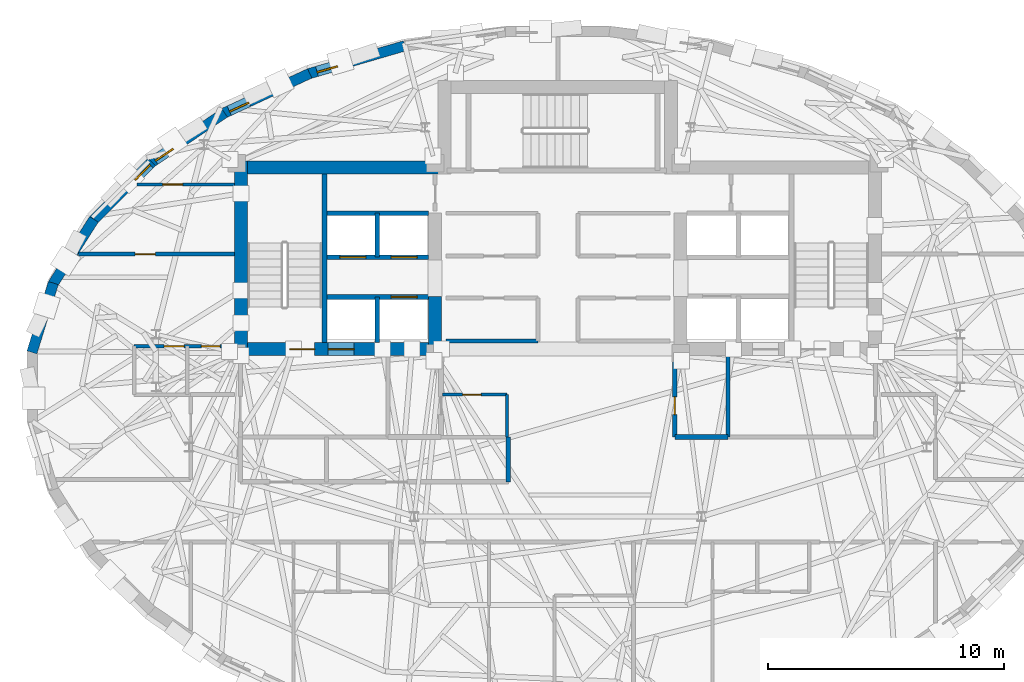
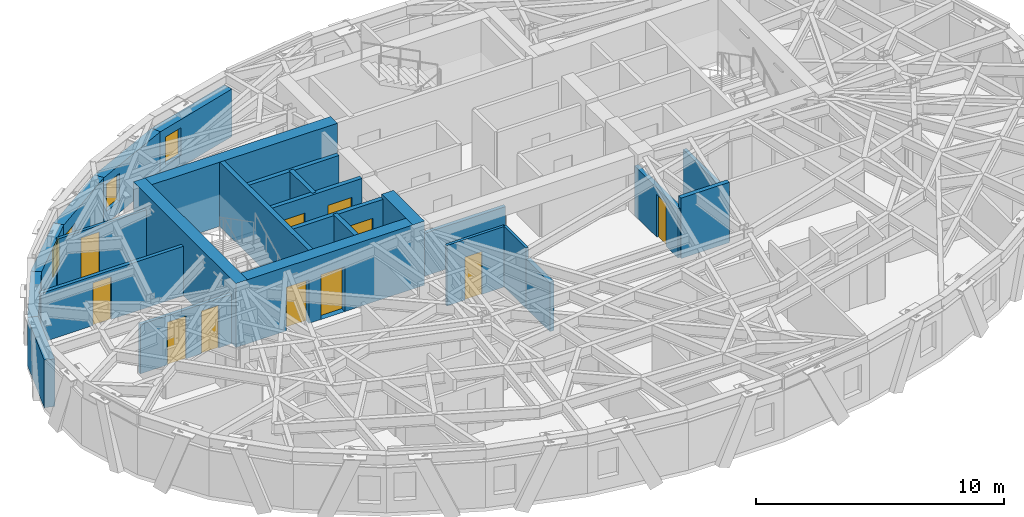
# One storey, part 7 of 12: 26 walls, 11 doors, 4 windows, 15 openings.
"""IFC4 building model written with IfcOpenShell, lengths in metres."""

from ifc_helpers import new_model, si_unit, direction, frame, frame_2d, origin, place, context, subcontext, project, spatial, rectangle, extrude, material, layer, layer_set, type_object, element, fill, save


model = new_model("IFC4")

# Units and contexts
model_context = context("Model", 3, precision=1e-05, world=origin(), true_north=direction((0.0, 1.0)))
body_context = subcontext(model_context, "Body", "Model", "MODEL_VIEW")
ifc_project = project(units=[si_unit("LENGTHUNIT", "METRE"), si_unit("AREAUNIT", "SQUARE_METRE"), si_unit("VOLUMEUNIT", "CUBIC_METRE"), si_unit("PLANEANGLEUNIT", "RADIAN"), si_unit("MASSUNIT", "GRAM", prefix="KILO")], contexts=[model_context])

# Site, building, storey
site_placement = place(None, origin())
site = spatial("IfcSite", under=ifc_project, at=site_placement, CompositionType="ELEMENT")
building_placement = place(site_placement, origin())
building = spatial("IfcBuilding", under=site, at=building_placement, Name="Keldmark Tower", CompositionType="ELEMENT")
storey_placement = place(building_placement, frame((0.0, 0.0, 228.89990234375)))
storey = spatial("IfcBuildingStorey", under=building, at=storey_placement, Name="L64", CompositionType="ELEMENT", Elevation=228.89990234375)

# Walls
ifc_material_1 = material(Name="Heavy Acoustic Plumbing Chase Gypsum Assembly", Category="gypsum")
ifc_layer_1 = layer(ifc_material_1, 0.18994140625)
ifc_layer_set_1 = layer_set([ifc_layer_1], Name="Heavy Acoustic Plumbing Chase Gypsum Assembly")
wall_type_1 = type_object("IfcWallType", Name="Heavy Wet Wall 190 mm", PredefinedType="PLUMBINGWALL", material=ifc_layer_set_1)
wall_1_placement = place(storey_placement, frame((-2.10009765625, -4.050048828125, 0.0), z_axis=(0.0, 0.0, 1.0), x_axis=(0.0, 1.0, 0.0)))
element("IfcWall", 1, at=wall_1_placement, inside=storey, type_object=wall_type_1, Name="L64 Heavy Wet Wall 190 mm SPK-W-E", PredefinedType="PLUMBINGWALL", context=body_context, shape_type="SweptSolid", body=[
    extrude(rectangle(XDim=1.900146484375, YDim=0.18994140625, at=frame_2d((0.9501953125, 0.0))), origin(), (0.0, 0.0, 1.0), 2.423095703125),
])
ifc_material_2 = material(Name="Concrete C50/60", Category="concrete")
ifc_layer_2 = layer(ifc_material_2, 0.550048828125)
ifc_layer_set_2 = layer_set([ifc_layer_2], Name="Concrete C50/60")
wall_type_2 = type_object("IfcWallType", Name="High-Rise Core Shear Wall 550 mm", PredefinedType="SHEAR", material=ifc_layer_set_2)
wall_2_placement = place(storey_placement, frame((-13.425048828125, 1.300048828125, 0.0), z_axis=(0.0, 0.0, 1.0), x_axis=(0.0, 1.0, 0.0)))
element("IfcWall", 2, at=wall_2_placement, inside=storey, type_object=wall_type_2, Name="L64 West Core Outer Shear Wall", PredefinedType="SHEAR", context=body_context, shape_type="SweptSolid", body=[
    extrude(rectangle(XDim=8.25, YDim=0.550048828125, at=frame_2d((4.125, 0.0))), origin(), (0.0, 0.0, 1.0), 3.150146484375),
])
wall_3_placement = place(storey_placement, frame((-13.699951171875, 9.27490234375, 0.0), z_axis=(0.0, 0.0, 1.0), x_axis=(1.0, 0.0, 0.0)))
element("IfcWall", 3, at=wall_3_placement, inside=storey, type_object=wall_type_2, Name="L64 West Core North Shear Wall", PredefinedType="SHEAR", context=body_context, shape_type="SweptSolid", body=[
    extrude(rectangle(XDim=9.175048828125, YDim=0.550048828125, at=frame_2d((4.58740234375, 0.0))), origin(), (0.0, 0.0, 1.0), 3.150146484375),
])

# Wall, openings, doors
wall_4_placement = place(storey_placement, frame((-4.925048828125, 1.574951171875, 0.0), z_axis=(0.0, 0.0, 1.0), x_axis=(-1.0, 0.0, 0.0)))
wall_4 = element("IfcWall", 4, at=wall_4_placement, inside=storey, type_object=wall_type_2, Name="L64 West Core South Shear Wall", PredefinedType="SHEAR", context=body_context, shape_type="SweptSolid", body=[
    extrude(rectangle(XDim=8.77490234375, YDim=0.550048828125, at=frame_2d((4.387451171875, 0.0))), origin(), (0.0, 0.0, 1.0), 3.150146484375),
])
opening_1_placement = place(wall_4_placement, frame((5.375, 0.0, 0.0)))
opening_1 = element("IfcOpeningElement", 5, at=opening_1_placement, cuts=wall_4, Name="Opening D-ST105", PredefinedType="OPENING", context=body_context, shape_type="SweptSolid", body=[
    extrude(rectangle(XDim=1.050048828125, YDim=2.14990234375, at=frame_2d((0.52490234375, 1.074951171875))), frame((0.0, 0.284912109375, 0.0), z_axis=(0.0, -1.0, 0.0), x_axis=(1.0, 0.0, 0.0)), (0.0, 0.0, 1.0), 0.570068359375),
])
opening_2_placement = place(wall_4_placement, frame((3.705078125, 0.0, 0.0)))
opening_2 = element("IfcOpeningElement", 6, at=opening_2_placement, cuts=wall_4, Name="Opening LD-110", PredefinedType="OPENING", context=body_context, shape_type="SweptSolid", body=[
    extrude(rectangle(XDim=1.10009765625, YDim=2.199951171875, at=frame_2d((0.550048828125, 1.10009765625))), frame((0.0, 0.284912109375, 0.0), z_axis=(0.0, -1.0, 0.0), x_axis=(1.0, 0.0, 0.0)), (0.0, 0.0, 1.0), 0.570068359375),
])
ifc_material_3 = material(Name="Brushed Bronze Hoistway Sliding Leaf", Category="metal")
door_type_1 = type_object("IfcDoorType", Name="Lift Landing Sliding Door 1100x2200", OperationType="SLIDING_TO_LEFT", PredefinedType="DOOR", material=ifc_material_3)
door_1_placement = place(opening_2_placement, origin())
door_1 = element("IfcDoor", 7, at=door_1_placement, inside=storey, type_object=door_type_1, Name="L64 Lift Landing Sliding Door 1100x2200 LD-EL-FS1-L64", OperationType="SLIDING_TO_LEFT", OverallHeight=2.199951171875, OverallWidth=1.10009765625, PredefinedType="DOOR", context=body_context, shape_type="SweptSolid", body=[
    extrude(rectangle(XDim=1.10009765625, YDim=2.199951171875, at=frame_2d((0.550048828125, 1.10009765625))), frame((0.0, 0.02490234375, 0.0), z_axis=(0.0, -1.0, 0.0), x_axis=(1.0, 0.0, 0.0)), (0.0, 0.0, 1.0), 0.050048828125),
])
fill(opening_2, door_1)
ifc_material_4 = material(Name="Hollow Metal Fire-Rated Door Assembly", Category="metal")
door_type_2 = type_object("IfcDoorType", Name="Stair Fire Door 1050x2150", OperationType="NOTDEFINED", PredefinedType="DOOR", material=ifc_material_4)
door_2_placement = place(opening_1_placement, origin())
door_2 = element("IfcDoor", 8, at=door_2_placement, inside=storey, type_object=door_type_2, Name="L64 Stair Fire Door 1050x2150 D-ST1-L64", OperationType="SINGLE_SWING_RIGHT", OverallHeight=2.14990234375, OverallWidth=1.050048828125, PredefinedType="DOOR", context=body_context, shape_type="SweptSolid", body=[
    extrude(rectangle(XDim=1.050048828125, YDim=2.14990234375, at=frame_2d((0.52490234375, 1.074951171875))), frame((0.0, 0.02490234375, 0.0), z_axis=(0.0, -1.0, 0.0), x_axis=(1.0, 0.0, 0.0)), (0.0, 0.0, 1.0), 0.050048828125),
])
fill(opening_1, door_2)

# Wall
wall_5_placement = place(storey_placement, frame((-5.199951171875, 1.300048828125, 0.0), z_axis=(0.0, 0.0, 1.0), x_axis=(0.0, 1.0, 0.0)))
element("IfcWall", 9, at=wall_5_placement, inside=storey, type_object=wall_type_2, Name="L64 West Core Inner Shear Pier South", PredefinedType="SHEAR", context=body_context, shape_type="SweptSolid", body=[
    extrude(rectangle(XDim=2.5, YDim=0.550048828125, at=frame_2d((1.25, 0.0))), origin(), (0.0, 0.0, 1.0), 3.150146484375),
])

# Wall, opening, door
ifc_material_5 = material(Name="Acoustic Gypsum Board Interior Partition", Category="gypsum")
ifc_layer_3 = layer(ifc_material_5, 0.1298828125)
ifc_layer_set_3 = layer_set([ifc_layer_3], Name="Acoustic Gypsum Board Interior Partition")
wall_type_3 = type_object("IfcWallType", Name="Interior Partition 130 mm", PredefinedType="PARTITIONING", material=ifc_layer_set_3)
wall_6_placement = place(storey_placement, frame((-4.8798828125, -0.35009765625, 0.0), z_axis=(0.0, 0.0, 1.0), x_axis=(1.0, 0.0, 0.0)))
wall_6 = element("IfcWall", 10, at=wall_6_placement, inside=storey, type_object=wall_type_3, Name="L64 Interior Partition 130 mm CSC-W-N", PredefinedType="PARTITIONING", context=body_context, shape_type="SweptSolid", body=[
    extrude(rectangle(XDim=2.72998046875, YDim=0.1298828125, at=frame_2d((1.364990234375, 0.0))), origin(), (0.0, 0.0, 1.0), 2.97021484375),
])
opening_3_placement = place(wall_6_placement, frame((0.85009765625, 0.0, 0.0)))
opening_3 = element("IfcOpeningElement", 11, at=opening_3_placement, cuts=wall_6, Name="Opening D-CL078", PredefinedType="OPENING", context=body_context, shape_type="SweptSolid", body=[
    extrude(rectangle(XDim=0.780029296875, YDim=2.10009765625, at=frame_2d((0.39013671875, 1.050048828125))), frame((0.0, 0.074951171875, 0.0), z_axis=(0.0, -1.0, 0.0), x_axis=(1.0, 0.0, 0.0)), (0.0, 0.0, 1.0), 0.14990234375),
])
ifc_material_6 = material(Name="Flush Utility Closet Timber Door", Category="wood")
door_type_3 = type_object("IfcDoorType", Name="Closet Door 780x2100", OperationType="NOTDEFINED", PredefinedType="DOOR", material=ifc_material_6)
door_3_placement = place(opening_3_placement, origin())
door_3 = element("IfcDoor", 12, at=door_3_placement, inside=storey, type_object=door_type_3, Name="L64 Closet Door 780x2100 D-CSCW1-L64", OperationType="SINGLE_SWING_LEFT", OverallHeight=2.10009765625, OverallWidth=0.780029296875, PredefinedType="DOOR", context=body_context, shape_type="SweptSolid", body=[
    extrude(rectangle(XDim=0.780029296875, YDim=2.10009765625, at=frame_2d((0.39013671875, 1.050048828125))), frame((0.0, 0.02490234375, 0.0), z_axis=(0.0, -1.0, 0.0), x_axis=(1.0, 0.0, 0.0)), (0.0, 0.0, 1.0), 0.050048828125),
])
fill(opening_3, door_3)

# Wall
wall_7_placement = place(storey_placement, frame((-2.14990234375, -2.14990234375, 0.0), z_axis=(0.0, 0.0, 1.0), x_axis=(0.0, 1.0, 0.0)))
element("IfcWall", 13, at=wall_7_placement, inside=storey, type_object=wall_type_3, Name="L64 Interior Partition 130 mm CSC-W-E", PredefinedType="PARTITIONING", context=body_context, shape_type="SweptSolid", body=[
    extrude(rectangle(XDim=1.7998046875, YDim=0.1298828125, at=frame_2d((0.89990234375, 0.0))), origin(), (0.0, 0.0, 1.0), 2.97021484375),
])

# Wall, opening, door
wall_8_placement = place(storey_placement, frame((-17.830810546875, 8.550048828125, 0.0), z_axis=(0.0, 0.0, 1.0), x_axis=(1.0, 0.0, 0.0)))
wall_8 = element("IfcWall", 14, at=wall_8_placement, inside=storey, type_object=wall_type_3, Name="L64 Interior Partition 130 mm UC-NDIV2", PredefinedType="PARTITIONING", context=body_context, shape_type="SweptSolid", body=[
    extrude(rectangle(XDim=4.130859375, YDim=0.1298828125, at=frame_2d((2.0654296875, 0.0))), origin(), (0.0, 0.0, 1.0), 2.423095703125),
])
opening_4_placement = place(wall_8_placement, frame((1.08837890625, 0.0, 0.0)))
opening_4 = element("IfcOpeningElement", 15, at=opening_4_placement, cuts=wall_8, Name="Opening D-IN085", PredefinedType="OPENING", context=body_context, shape_type="SweptSolid", body=[
    extrude(rectangle(XDim=0.85009765625, YDim=2.10009765625, at=frame_2d((0.425048828125, 1.050048828125))), frame((0.0, 0.074951171875, 0.0), z_axis=(0.0, -1.0, 0.0), x_axis=(1.0, 0.0, 0.0)), (0.0, 0.0, 1.0), 0.14990234375),
])
ifc_material_7 = material(Name="Painted Architectural Wood", Category="wood")
door_type_4 = type_object("IfcDoorType", Name="Interior Door 850x2100", OperationType="NOTDEFINED", PredefinedType="DOOR", material=ifc_material_7)
door_4_placement = place(opening_4_placement, origin())
door_4 = element("IfcDoor", 16, at=door_4_placement, inside=storey, type_object=door_type_4, Name="L64 Interior Door 850x2100 D-UC-BR2-L64", OperationType="SINGLE_SWING_RIGHT", OverallHeight=2.10009765625, OverallWidth=0.85009765625, PredefinedType="DOOR", context=body_context, shape_type="SweptSolid", body=[
    extrude(rectangle(XDim=0.85009765625, YDim=2.10009765625, at=frame_2d((0.425048828125, 1.050048828125))), frame((0.0, 0.02490234375, 0.0), z_axis=(0.0, -1.0, 0.0), x_axis=(1.0, 0.0, 0.0)), (0.0, 0.0, 1.0), 0.050048828125),
])
fill(opening_4, door_4)

# Walls
ifc_material_8 = material(Name="Type X Fire-Rated Gypsum Partition Assembly", Category="gypsum")
ifc_layer_4 = layer(ifc_material_8, 0.1650390625)
ifc_layer_set_4 = layer_set([ifc_layer_4], Name="Type X Fire-Rated Gypsum Partition Assembly")
wall_type_4 = type_object("IfcWallType", Name="Rated Partition 165 mm", PredefinedType="PARTITIONING", material=ifc_layer_set_4)
wall_9_placement = place(storey_placement, frame((7.199951171875, -2.14990234375, 0.0), z_axis=(0.0, 0.0, 1.0), x_axis=(0.0, 1.0, 0.0)))
element("IfcWall", 17, at=wall_9_placement, inside=storey, type_object=wall_type_4, Name="L64 Rated Partition 165 mm FSAE-E-W", PredefinedType="PARTITIONING", context=body_context, shape_type="SweptSolid", body=[
    extrude(rectangle(XDim=3.5, YDim=0.1650390625, at=frame_2d((1.75, 0.0))), origin(), (0.0, 0.0, 1.0), 2.423095703125),
])
wall_10_placement = place(storey_placement, frame((-4.739990234375, 1.919921875, 0.0), z_axis=(0.0, 0.0, 1.0), x_axis=(1.0, 0.0, 0.0)))
element("IfcWall", 18, at=wall_10_placement, inside=storey, type_object=wall_type_4, Name="L64 Rated Partition 165 mm REC-LW-S", PredefinedType="PARTITIONING", context=body_context, shape_type="SweptSolid", body=[
    extrude(rectangle(XDim=3.889892578125, YDim=0.1650390625, at=frame_2d((1.94482421875, 0.0))), origin(), (0.0, 0.0, 1.0), 2.110107421875),
])

# Wall, opening, door
wall_11_placement = place(storey_placement, frame((-20.312255859375, 5.60009765625, 0.0), z_axis=(0.0, 0.0, 1.0), x_axis=(1.0, 0.0, 0.0)))
wall_11 = element("IfcWall", 19, at=wall_11_placement, inside=storey, type_object=wall_type_4, Name="L64 Rated Partition 165 mm RW-NDIV", PredefinedType="PARTITIONING", context=body_context, shape_type="SweptSolid", body=[
    extrude(rectangle(XDim=6.6123046875, YDim=0.1650390625, at=frame_2d((3.30615234375, 0.0))), origin(), (0.0, 0.0, 1.0), 2.423095703125),
])
opening_5_placement = place(wall_11_placement, frame((2.412109375, 0.0, 0.0)))
opening_5 = element("IfcOpeningElement", 20, at=opening_5_placement, cuts=wall_11, Name="Opening D-BR085", PredefinedType="OPENING", context=body_context, shape_type="SweptSolid", body=[
    extrude(rectangle(XDim=0.85009765625, YDim=2.10009765625, at=frame_2d((0.425048828125, 1.050048828125))), frame((0.0, 0.092529296875, 0.0), z_axis=(0.0, -1.0, 0.0), x_axis=(1.0, 0.0, 0.0)), (0.0, 0.0, 1.0), 0.18505859375),
])
ifc_material_9 = material(Name="Solid-Core Stained Walnut Wood", Category="wood")
door_type_5 = type_object("IfcDoorType", Name="Bedroom Door 850x2100", OperationType="NOTDEFINED", PredefinedType="DOOR", material=ifc_material_9)
door_5_placement = place(opening_5_placement, origin())
door_5 = element("IfcDoor", 21, at=door_5_placement, inside=storey, type_object=door_type_5, Name="L64 Bedroom Door 850x2100 D-UC-BR1-L64", OperationType="SINGLE_SWING_LEFT", OverallHeight=2.10009765625, OverallWidth=0.85009765625, PredefinedType="DOOR", context=body_context, shape_type="SweptSolid", body=[
    extrude(rectangle(XDim=0.85009765625, YDim=2.10009765625, at=frame_2d((0.425048828125, 1.050048828125))), frame((0.0, 0.02490234375, 0.0), z_axis=(0.0, -1.0, 0.0), x_axis=(1.0, 0.0, 0.0)), (0.0, 0.0, 1.0), 0.050048828125),
])
fill(opening_5, door_5)

# Wall
ifc_material_10 = material(Name="Fire-Resistant Type X Gypsum Shaftliner Coreboard", Category="gypsum")
ifc_layer_5 = layer(ifc_material_10, 0.199951171875)
ifc_layer_set_5 = layer_set([ifc_layer_5], Name="Fire-Resistant Type X Gypsum Shaftliner Coreboard")
wall_type_5 = type_object("IfcWallType", Name="Shaft Wall 200 mm", PredefinedType="SOLIDWALL", material=ifc_layer_set_5)
wall_12_placement = place(storey_placement, frame((4.949951171875, -2.14990234375, 0.0), z_axis=(0.0, 0.0, 1.0), x_axis=(1.0, 0.0, 0.0)))
element("IfcWall", 22, at=wall_12_placement, inside=storey, type_object=wall_type_5, Name="L64 Shaft Wall 200 mm RIS-SE-S", PredefinedType="SOLIDWALL", context=body_context, shape_type="SweptSolid", body=[
    extrude(rectangle(XDim=2.25, YDim=0.199951171875, at=frame_2d((1.125, 0.0))), origin(), (0.0, 0.0, 1.0), 2.97021484375),
])

# Wall, opening, door
wall_13_placement = place(storey_placement, frame((4.949951171875, -2.14990234375, 0.0), z_axis=(0.0, 0.0, 1.0), x_axis=(0.0, 1.0, 0.0)))
wall_13 = element("IfcWall", 23, at=wall_13_placement, inside=storey, type_object=wall_type_5, Name="L64 Shaft Wall 200 mm RIS-SE-W", PredefinedType="SOLIDWALL", context=body_context, shape_type="SweptSolid", body=[
    extrude(rectangle(XDim=3.5, YDim=0.199951171875, at=frame_2d((1.75, 0.0))), origin(), (0.0, 0.0, 1.0), 2.423095703125),
])
opening_6_placement = place(wall_13_placement, frame((0.949951171875, 0.0, 0.0)))
opening_6 = element("IfcOpeningElement", 24, at=opening_6_placement, cuts=wall_13, Name="Opening D-RS075", PredefinedType="OPENING", context=body_context, shape_type="SweptSolid", body=[
    extrude(rectangle(XDim=0.75, YDim=2.10009765625, at=frame_2d((0.375, 1.050048828125))), frame((0.0, 0.10986328125, 0.0), z_axis=(0.0, -1.0, 0.0), x_axis=(1.0, 0.0, 0.0)), (0.0, 0.0, 1.0), 0.219970703125),
])
ifc_material_11 = material(Name="Galvanized Fire-Rated Access Leaf", Category="metal")
door_type_6 = type_object("IfcDoorType", Name="Riser Access Door 750x2100", OperationType="NOTDEFINED", PredefinedType="DOOR", material=ifc_material_11)
door_6_placement = place(opening_6_placement, origin())
door_6 = element("IfcDoor", 25, at=door_6_placement, inside=storey, type_object=door_type_6, Name="L64 Riser Access Door 750x2100 D-RISSE-L64", OperationType="SINGLE_SWING_LEFT", OverallHeight=2.10009765625, OverallWidth=0.75, PredefinedType="DOOR", context=body_context, shape_type="SweptSolid", body=[
    extrude(rectangle(XDim=0.75, YDim=2.10009765625, at=frame_2d((0.375, 1.050048828125))), frame((0.0, 0.02490234375, 0.0), z_axis=(0.0, -1.0, 0.0), x_axis=(1.0, 0.0, 0.0)), (0.0, 0.0, 1.0), 0.050048828125),
])
fill(opening_6, door_6)

wall_14_placement = place(storey_placement, frame((-9.780029296875, 3.780029296875, 0.0), z_axis=(0.0, 0.0, 1.0), x_axis=(1.0, 0.0, 0.0)))
wall_14 = element("IfcWall", 26, at=wall_14_placement, inside=storey, type_object=wall_type_5, Name="L64 Shaft Wall 200 mm HW-W-S", PredefinedType="SOLIDWALL", context=body_context, shape_type="SweptSolid", body=[
    extrude(rectangle(XDim=4.304931640625, YDim=0.199951171875, at=frame_2d((2.15234375, 0.0))), origin(), (0.0, 0.0, 1.0), 2.97021484375),
])
opening_7_placement = place(wall_14_placement, frame((2.719970703125, 0.0, 0.0)))
opening_7 = element("IfcOpeningElement", 27, at=opening_7_placement, cuts=wall_14, Name="Opening LD-110", PredefinedType="OPENING", context=body_context, shape_type="SweptSolid", body=[
    extrude(rectangle(XDim=1.10009765625, YDim=2.199951171875, at=frame_2d((0.550048828125, 1.10009765625))), frame((0.0, 0.10986328125, 0.0), z_axis=(0.0, -1.0, 0.0), x_axis=(1.0, 0.0, 0.0)), (0.0, 0.0, 1.0), 0.219970703125),
])
door_7_placement = place(opening_7_placement, origin())
door_7 = element("IfcDoor", 28, at=door_7_placement, inside=storey, type_object=door_type_1, Name="L64 Lift Landing Sliding Door 1100x2200 LD-EL-H3-L64", OperationType="SLIDING_TO_LEFT", OverallHeight=2.199951171875, OverallWidth=1.10009765625, PredefinedType="DOOR", context=body_context, shape_type="SweptSolid", body=[
    extrude(rectangle(XDim=1.10009765625, YDim=2.199951171875, at=frame_2d((0.550048828125, 1.10009765625))), frame((0.0, 0.02490234375, 0.0), z_axis=(0.0, -1.0, 0.0), x_axis=(1.0, 0.0, 0.0)), (0.0, 0.0, 1.0), 0.050048828125),
])
fill(opening_7, door_7)

# Wall
wall_15_placement = place(storey_placement, frame((-7.64990234375, 1.85009765625, 0.0), z_axis=(0.0, 0.0, 1.0), x_axis=(0.0, 1.0, 0.0)))
element("IfcWall", 29, at=wall_15_placement, inside=storey, type_object=wall_type_5, Name="L64 Shaft Wall 200 mm HW-W-M", PredefinedType="SOLIDWALL", context=body_context, shape_type="SweptSolid", body=[
    extrude(rectangle(XDim=1.929931640625, YDim=0.199951171875, at=frame_2d((0.96484375, 0.0))), origin(), (0.0, 0.0, 1.0), 2.97021484375),
])

# Wall, openings, doors
wall_16_placement = place(storey_placement, frame((-9.780029296875, 5.469970703125, 0.0), z_axis=(0.0, 0.0, 1.0), x_axis=(1.0, 0.0, 0.0)))
wall_16 = element("IfcWall", 30, at=wall_16_placement, inside=storey, type_object=wall_type_5, Name="L64 Shaft Wall 200 mm HW-W-N", PredefinedType="SOLIDWALL", context=body_context, shape_type="SweptSolid", body=[
    extrude(rectangle(XDim=4.304931640625, YDim=0.199951171875, at=frame_2d((2.15234375, 0.0))), origin(), (0.0, 0.0, 1.0), 2.97021484375),
])
opening_8_placement = place(wall_16_placement, frame((0.550048828125, 0.0, 0.0)))
opening_8 = element("IfcOpeningElement", 31, at=opening_8_placement, cuts=wall_16, Name="Opening LD-110", PredefinedType="OPENING", context=body_context, shape_type="SweptSolid", body=[
    extrude(rectangle(XDim=1.10009765625, YDim=2.199951171875, at=frame_2d((0.550048828125, 1.10009765625))), frame((0.0, 0.10986328125, 0.0), z_axis=(0.0, -1.0, 0.0), x_axis=(1.0, 0.0, 0.0)), (0.0, 0.0, 1.0), 0.219970703125),
])
opening_9_placement = place(wall_16_placement, frame((2.719970703125, 0.0, 0.0)))
opening_9 = element("IfcOpeningElement", 32, at=opening_9_placement, cuts=wall_16, Name="Opening LD-110", PredefinedType="OPENING", context=body_context, shape_type="SweptSolid", body=[
    extrude(rectangle(XDim=1.10009765625, YDim=2.199951171875, at=frame_2d((0.550048828125, 1.10009765625))), frame((0.0, 0.10986328125, 0.0), z_axis=(0.0, -1.0, 0.0), x_axis=(1.0, 0.0, 0.0)), (0.0, 0.0, 1.0), 0.219970703125),
])
door_8_placement = place(opening_8_placement, origin())
door_8 = element("IfcDoor", 33, at=door_8_placement, inside=storey, type_object=door_type_1, Name="L64 Lift Landing Sliding Door 1100x2200 LD-EL-H1-L64", OperationType="SLIDING_TO_LEFT", OverallHeight=2.199951171875, OverallWidth=1.10009765625, PredefinedType="DOOR", context=body_context, shape_type="SweptSolid", body=[
    extrude(rectangle(XDim=1.10009765625, YDim=2.199951171875, at=frame_2d((0.550048828125, 1.10009765625))), frame((0.0, 0.02490234375, 0.0), z_axis=(0.0, -1.0, 0.0), x_axis=(1.0, 0.0, 0.0)), (0.0, 0.0, 1.0), 0.050048828125),
])
fill(opening_8, door_8)
door_9_placement = place(opening_9_placement, origin())
door_9 = element("IfcDoor", 34, at=door_9_placement, inside=storey, type_object=door_type_1, Name="L64 Lift Landing Sliding Door 1100x2200 LD-EL-H2-L64", OperationType="SLIDING_TO_LEFT", OverallHeight=2.199951171875, OverallWidth=1.10009765625, PredefinedType="DOOR", context=body_context, shape_type="SweptSolid", body=[
    extrude(rectangle(XDim=1.10009765625, YDim=2.199951171875, at=frame_2d((0.550048828125, 1.10009765625))), frame((0.0, 0.02490234375, 0.0), z_axis=(0.0, -1.0, 0.0), x_axis=(1.0, 0.0, 0.0)), (0.0, 0.0, 1.0), 0.050048828125),
])
fill(opening_9, door_9)

# Walls
wall_17_placement = place(storey_placement, frame((-9.780029296875, 7.330078125, 0.0), z_axis=(0.0, 0.0, 1.0), x_axis=(1.0, 0.0, 0.0)))
element("IfcWall", 35, at=wall_17_placement, inside=storey, type_object=wall_type_5, Name="L64 Shaft Wall 200 mm HW-W-TOP", PredefinedType="SOLIDWALL", context=body_context, shape_type="SweptSolid", body=[
    extrude(rectangle(XDim=4.304931640625, YDim=0.199951171875, at=frame_2d((2.15234375, 0.0))), origin(), (0.0, 0.0, 1.0), 2.97021484375),
])
wall_18_placement = place(storey_placement, frame((-7.64990234375, 5.469970703125, 0.0), z_axis=(0.0, 0.0, 1.0), x_axis=(0.0, 1.0, 0.0)))
element("IfcWall", 36, at=wall_18_placement, inside=storey, type_object=wall_type_5, Name="L64 Shaft Wall 200 mm HW-W-NM", PredefinedType="SOLIDWALL", context=body_context, shape_type="SweptSolid", body=[
    extrude(rectangle(XDim=1.860107421875, YDim=0.199951171875, at=frame_2d((0.93017578125, 0.0))), origin(), (0.0, 0.0, 1.0), 2.97021484375),
])
ifc_material_12 = material(Name="Concrete C50/60", Category="concrete")
ifc_layer_6 = layer(ifc_material_12, 0.219970703125)
ifc_layer_set_6 = layer_set([ifc_layer_6], Name="Concrete C50/60")
wall_type_6 = type_object("IfcWallType", Name="Stair Core Shear Wall 220 mm", PredefinedType="SHEAR", material=ifc_layer_set_6)
wall_19_placement = place(storey_placement, frame((-9.889892578125, 1.85009765625, 0.0), z_axis=(0.0, 0.0, 1.0), x_axis=(0.0, 1.0, 0.0)))
element("IfcWall", 37, at=wall_19_placement, inside=storey, type_object=wall_type_6, Name="L64 West Stair Core Shear Wall", PredefinedType="SHEAR", context=body_context, shape_type="SweptSolid", body=[
    extrude(rectangle(XDim=7.14990234375, YDim=0.219970703125, at=frame_2d((3.574951171875, 0.0))), origin(), (0.0, 0.0, 1.0), 3.150146484375),
])

# Wall, opening, window
ifc_material_13 = material(Name="Ironspot Manganese Brick and Kasota Buff Limestone Spandrel Assembly", Category="masonry")
ifc_layer_7 = layer(ifc_material_13, 0.43994140625)
ifc_layer_set_7 = layer_set([ifc_layer_7], Name="Ironspot Manganese Brick and Kasota Buff Limestone Spandrel Assembly")
wall_type_7 = type_object("IfcWallType", Name="Tower Brick Pier and Spandrel Wall 440 mm", PredefinedType="STANDARD", material=ifc_layer_set_7)
wall_20_placement = place(storey_placement, frame((-10.541015625, 13.240478515625, 0.0), z_axis=(0.0, 0.0, 1.0), x_axis=(0.960138362531, 0.279525177393, 0.0)))
wall_20 = element("IfcWall", 38, at=wall_20_placement, inside=storey, type_object=wall_type_7, Name="L64 Exterior Brick and Spandrel Wall 10", PredefinedType="STANDARD", context=body_context, shape_type="SweptSolid", body=[
    extrude(rectangle(XDim=4.2255859375, YDim=0.43994140625, at=frame_2d((2.11279296875, 0.0))), origin(), (0.0, 0.0, 1.0), 2.336181640625),
])
opening_10_placement = place(wall_20_placement, frame((0.3486328125, 0.0, 0.580078125)))
opening_10 = element("IfcOpeningElement", 39, at=opening_10_placement, cuts=wall_20, Name="Opening W-09", PredefinedType="OPENING", context=body_context, shape_type="SweptSolid", body=[
    extrude(rectangle(XDim=0.89990234375, YDim=1.35009765625, at=frame_2d((0.449951171875, 0.675048828125))), frame((0.0, 0.22998046875, 0.0), z_axis=(0.0, -1.0, 0.0), x_axis=(1.0, 0.0, 0.0)), (0.0, 0.0, 1.0), 0.4599609375),
])
ifc_material_14 = material(Name="Thermally Broken Anodized Aluminum and Triple Low-E Argon Glazing", Category="aluminium")
window_type = type_object("IfcWindowType", Name="Corner Pier Deep-Set Window 900x1350", PartitioningType="SINGLE_PANEL", PredefinedType="WINDOW", material=ifc_material_14)
window_1_placement = place(opening_10_placement, origin())
window_1 = element("IfcWindow", 40, at=window_1_placement, inside=storey, type_object=window_type, Name="L64 Deep-Set Window 10", OverallHeight=1.35009765625, OverallWidth=0.89990234375, PartitioningType="SINGLE_PANEL", PredefinedType="WINDOW", context=body_context, shape_type="SweptSolid", body=[
    extrude(rectangle(XDim=0.89990234375, YDim=1.35009765625, at=frame_2d((0.449951171875, 0.675048828125))), frame((0.0, -0.010009765625, 0.0), z_axis=(0.0, -1.0, 0.0), x_axis=(1.0, 0.0, 0.0)), (0.0, 0.0, 1.0), 0.06005859375),
])
fill(opening_10, window_1)

wall_21_placement = place(storey_placement, frame((-14.147705078125, 11.5673828125, 0.0), z_axis=(0.0, 0.0, 1.0), x_axis=(0.907400682183, 0.420266584412, 0.0)))
wall_21 = element("IfcWall", 41, at=wall_21_placement, inside=storey, type_object=wall_type_7, Name="L64 Exterior Brick and Spandrel Wall 11", PredefinedType="STANDARD", context=body_context, shape_type="SweptSolid", body=[
    extrude(rectangle(XDim=4.009033203125, YDim=0.43994140625, at=frame_2d((2.00439453125, 0.0))), origin(), (0.0, 0.0, 1.0), 2.336181640625),
])
opening_11_placement = place(wall_21_placement, frame((0.249267578125, 0.0, 0.580078125)))
opening_11 = element("IfcOpeningElement", 42, at=opening_11_placement, cuts=wall_21, Name="Opening W-09", PredefinedType="OPENING", context=body_context, shape_type="SweptSolid", body=[
    extrude(rectangle(XDim=0.89990234375, YDim=1.35009765625, at=frame_2d((0.449951171875, 0.675048828125))), frame((0.0, 0.22998046875, 0.0), z_axis=(0.0, -1.0, 0.0), x_axis=(1.0, 0.0, 0.0)), (0.0, 0.0, 1.0), 0.4599609375),
])
window_2_placement = place(opening_11_placement, origin())
window_2 = element("IfcWindow", 43, at=window_2_placement, inside=storey, type_object=window_type, Name="L64 Deep-Set Window 11", OverallHeight=1.35009765625, OverallWidth=0.89990234375, PartitioningType="SINGLE_PANEL", PredefinedType="WINDOW", context=body_context, shape_type="SweptSolid", body=[
    extrude(rectangle(XDim=0.89990234375, YDim=1.35009765625, at=frame_2d((0.449951171875, 0.675048828125))), frame((0.0, -0.010009765625, 0.0), z_axis=(0.0, -1.0, 0.0), x_axis=(1.0, 0.0, 0.0)), (0.0, 0.0, 1.0), 0.06005859375),
])
fill(opening_11, window_2)

wall_22_placement = place(storey_placement, frame((-17.228271484375, 9.474853515625, 0.0), z_axis=(0.0, 0.0, 1.0), x_axis=(0.827638454008, 0.561261605178, 0.0)))
wall_22 = element("IfcWall", 44, at=wall_22_placement, inside=storey, type_object=wall_type_7, Name="L64 Exterior Brick and Spandrel Wall 12", PredefinedType="STANDARD", context=body_context, shape_type="SweptSolid", body=[
    extrude(rectangle(XDim=3.759521484375, YDim=0.43994140625, at=frame_2d((1.8798828125, 0.0))), origin(), (0.0, 0.0, 1.0), 2.336181640625),
])
opening_12_placement = place(wall_22_placement, frame((0.199951171875, 0.0, 0.419921875)))
opening_12 = element("IfcOpeningElement", 45, at=opening_12_placement, cuts=wall_22, Name="Opening W-09", PredefinedType="OPENING", context=body_context, shape_type="SweptSolid", body=[
    extrude(rectangle(XDim=0.89990234375, YDim=1.35009765625, at=frame_2d((0.449951171875, 0.675048828125))), frame((0.0, 0.22998046875, 0.0), z_axis=(0.0, -1.0, 0.0), x_axis=(1.0, 0.0, 0.0)), (0.0, 0.0, 1.0), 0.4599609375),
])
window_3_placement = place(opening_12_placement, origin())
window_3 = element("IfcWindow", 46, at=window_3_placement, inside=storey, type_object=window_type, Name="L64 Deep-Set Window 12", OverallHeight=1.35009765625, OverallWidth=0.89990234375, PartitioningType="SINGLE_PANEL", PredefinedType="WINDOW", context=body_context, shape_type="SweptSolid", body=[
    extrude(rectangle(XDim=0.89990234375, YDim=1.35009765625, at=frame_2d((0.449951171875, 0.675048828125))), frame((0.0, -0.010009765625, 0.0), z_axis=(0.0, -1.0, 0.0), x_axis=(1.0, 0.0, 0.0)), (0.0, 0.0, 1.0), 0.06005859375),
])
fill(opening_12, window_3)

wall_23_placement = place(storey_placement, frame((-19.680908203125, 7.033935546875, 0.0), z_axis=(0.0, 0.0, 1.0), x_axis=(0.709543258305, 0.704661879623, 0.0)))
wall_23 = element("IfcWall", 47, at=wall_23_placement, inside=storey, type_object=wall_type_7, Name="L64 Exterior Brick and Spandrel Wall 13", PredefinedType="STANDARD", context=body_context, shape_type="SweptSolid", body=[
    extrude(rectangle(XDim=3.5009765625, YDim=0.43994140625, at=frame_2d((1.75048828125, 0.0))), origin(), (0.0, 0.0, 1.0), 2.336181640625),
])
opening_13_placement = place(wall_23_placement, frame((2.460693359375, 0.0, 0.419921875)))
opening_13 = element("IfcOpeningElement", 48, at=opening_13_placement, cuts=wall_23, Name="Opening W-09", PredefinedType="OPENING", context=body_context, shape_type="SweptSolid", body=[
    extrude(rectangle(XDim=0.89990234375, YDim=1.35009765625, at=frame_2d((0.449951171875, 0.675048828125))), frame((0.0, 0.22998046875, 0.0), z_axis=(0.0, -1.0, 0.0), x_axis=(1.0, 0.0, 0.0)), (0.0, 0.0, 1.0), 0.4599609375),
])
window_4_placement = place(opening_13_placement, origin())
window_4 = element("IfcWindow", 49, at=window_4_placement, inside=storey, type_object=window_type, Name="L64 Pier Window RM01", OverallHeight=1.35009765625, OverallWidth=0.89990234375, PartitioningType="SINGLE_PANEL", PredefinedType="WINDOW", context=body_context, shape_type="SweptSolid", body=[
    extrude(rectangle(XDim=0.89990234375, YDim=1.35009765625, at=frame_2d((0.449951171875, 0.675048828125))), frame((0.0, -0.010009765625, 0.0), z_axis=(0.0, -1.0, 0.0), x_axis=(1.0, 0.0, 0.0)), (0.0, 0.0, 1.0), 0.06005859375),
])
fill(opening_13, window_4)

# Walls
wall_24_placement = place(storey_placement, frame((-21.3916015625, 4.321044921875, 0.0), z_axis=(0.0, 0.0, 1.0), x_axis=(0.53485586517, 0.844943313775, 0.0)))
element("IfcWall", 50, at=wall_24_placement, inside=storey, type_object=wall_type_7, Name="L64 Exterior Brick and Spandrel Wall 14", PredefinedType="STANDARD", context=body_context, shape_type="SweptSolid", body=[
    extrude(rectangle(XDim=3.25634765625, YDim=0.43994140625, at=frame_2d((1.628173828125, 0.0))), origin(), (0.0, 0.0, 1.0), 2.336181640625),
])
wall_25_placement = place(storey_placement, frame((-22.27392578125, 1.43701171875, 0.0), z_axis=(0.0, 0.0, 1.0), x_axis=(0.295012279945, 0.95549346135, 0.0)))
element("IfcWall", 51, at=wall_25_placement, inside=storey, type_object=wall_type_7, Name="L64 Exterior Brick and Spandrel Wall 15", PredefinedType="STANDARD", context=body_context, shape_type="SweptSolid", body=[
    extrude(rectangle(XDim=3.073486328125, YDim=0.43994140625, at=frame_2d((1.53662109375, 0.0))), origin(), (0.0, 0.0, 1.0), 2.336181640625),
])

# Wall, openings, doors
ifc_material_15 = material(Name="Moisture-Resistant Gypsum Plumbing Partition", Category="gypsum")
ifc_layer_8 = layer(ifc_material_15, 0.14990234375)
ifc_layer_set_8 = layer_set([ifc_layer_8], Name="Moisture-Resistant Gypsum Plumbing Partition")
wall_type_8 = type_object("IfcWallType", Name="Wet Wall 150 mm", PredefinedType="PLUMBINGWALL", material=ifc_layer_set_8)
wall_26_placement = place(storey_placement, frame((-17.949951171875, 1.699951171875, 0.0), z_axis=(0.0, 0.0, 1.0), x_axis=(1.0, 0.0, 0.0)))
wall_26 = element("IfcWall", 52, at=wall_26_placement, inside=storey, type_object=wall_type_8, Name="L64 Wet Wall 150 mm UC-BK-N", PredefinedType="PLUMBINGWALL", context=body_context, shape_type="SweptSolid", body=[
    extrude(rectangle(XDim=4.25, YDim=0.14990234375, at=frame_2d((2.125, 0.0))), origin(), (0.0, 0.0, 1.0), 2.423095703125),
])
opening_14_placement = place(wall_26_placement, frame((2.85009765625, 0.0, 0.0)))
opening_14 = element("IfcOpeningElement", 53, at=opening_14_placement, cuts=wall_26, Name="Opening D-BT080", PredefinedType="OPENING", context=body_context, shape_type="SweptSolid", body=[
    extrude(rectangle(XDim=0.800048828125, YDim=2.10009765625, at=frame_2d((0.39990234375, 1.050048828125))), frame((0.0, 0.0849609375, 0.0), z_axis=(0.0, -1.0, 0.0), x_axis=(1.0, 0.0, 0.0)), (0.0, 0.0, 1.0), 0.169921875),
])
opening_15_placement = place(wall_26_placement, frame((1.27001953125, 0.0, 0.0)))
opening_15 = element("IfcOpeningElement", 54, at=opening_15_placement, cuts=wall_26, Name="Opening D-IN085", PredefinedType="OPENING", context=body_context, shape_type="SweptSolid", body=[
    extrude(rectangle(XDim=0.85009765625, YDim=2.10009765625, at=frame_2d((0.425048828125, 1.050048828125))), frame((0.0, 0.0849609375, 0.0), z_axis=(0.0, -1.0, 0.0), x_axis=(1.0, 0.0, 0.0)), (0.0, 0.0, 1.0), 0.169921875),
])
ifc_material_16 = material(Name="Moisture-Sealed Stained Wood", Category="wood")
door_type_7 = type_object("IfcDoorType", Name="Bathroom Door 800x2100", OperationType="NOTDEFINED", PredefinedType="DOOR", material=ifc_material_16)
door_10_placement = place(opening_14_placement, origin())
door_10 = element("IfcDoor", 55, at=door_10_placement, inside=storey, type_object=door_type_7, Name="L64 Bathroom Door 800x2100 D-UC-BATH-L64", OperationType="SINGLE_SWING_LEFT", OverallHeight=2.10009765625, OverallWidth=0.800048828125, PredefinedType="DOOR", context=body_context, shape_type="SweptSolid", body=[
    extrude(rectangle(XDim=0.800048828125, YDim=2.10009765625, at=frame_2d((0.39990234375, 1.050048828125))), frame((0.0, 0.02490234375, 0.0), z_axis=(0.0, -1.0, 0.0), x_axis=(1.0, 0.0, 0.0)), (0.0, 0.0, 1.0), 0.050048828125),
])
fill(opening_14, door_10)
door_11_placement = place(opening_15_placement, origin())
door_11 = element("IfcDoor", 56, at=door_11_placement, inside=storey, type_object=door_type_4, Name="L64 Interior Door 850x2100 D-UC-KIT-L64", OperationType="SINGLE_SWING_RIGHT", OverallHeight=2.10009765625, OverallWidth=0.85009765625, PredefinedType="DOOR", context=body_context, shape_type="SweptSolid", body=[
    extrude(rectangle(XDim=0.85009765625, YDim=2.10009765625, at=frame_2d((0.425048828125, 1.050048828125))), frame((0.0, 0.02490234375, 0.0), z_axis=(0.0, -1.0, 0.0), x_axis=(1.0, 0.0, 0.0)), (0.0, 0.0, 1.0), 0.050048828125),
])
fill(opening_15, door_11)

save(model, "model.ifc")
